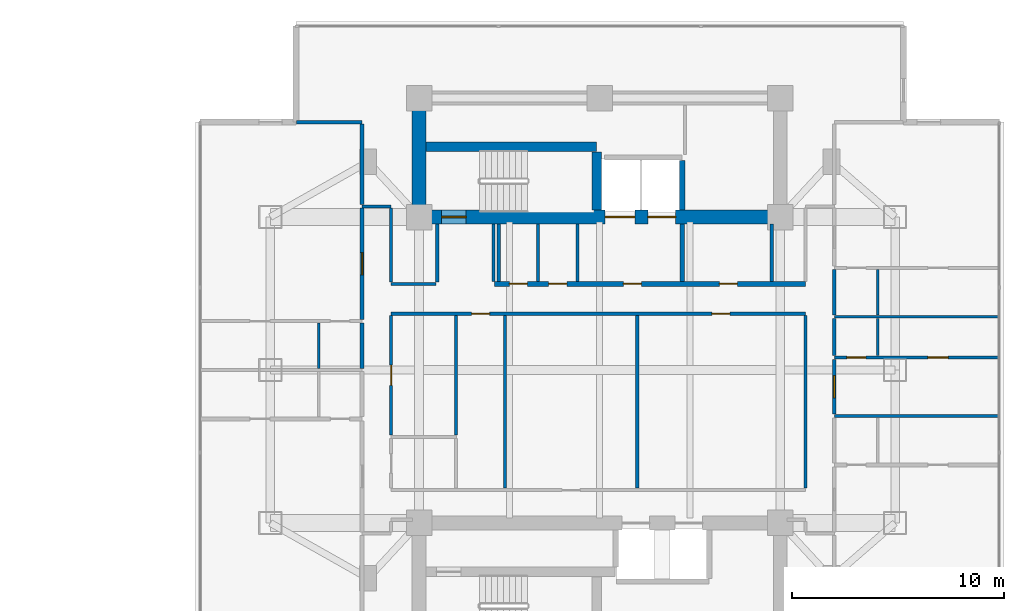
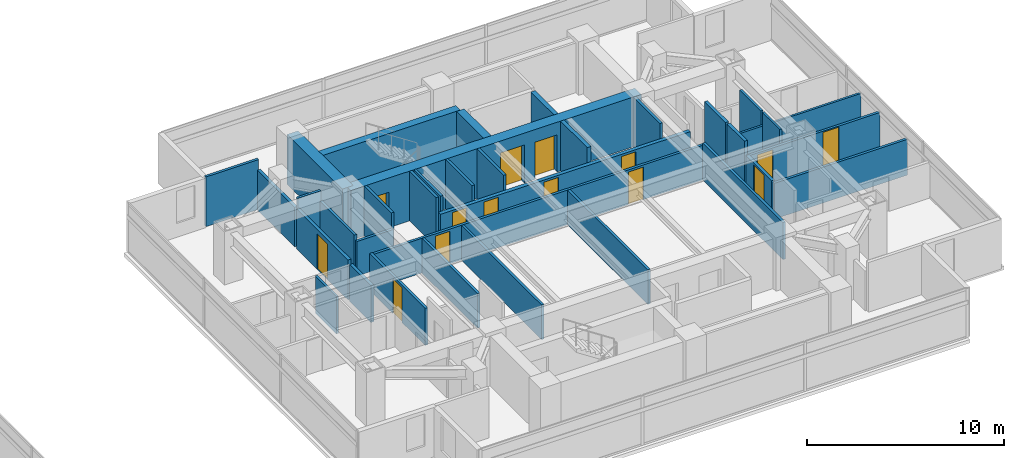
# One storey, part 18 of 25: 35 walls, 14 doors, 14 openings.
"""IFC4 building model written with IfcOpenShell, lengths in metres."""

from ifc_helpers import new_model, si_unit, direction, frame, frame_2d, origin, place, context, subcontext, project, spatial, rectangle, extrude, material, layer, layer_set, type_object, element, fill, save


model = new_model("IFC4")

# Units and contexts
model_context = context("Model", 3, precision=1e-05, world=origin(), true_north=direction((0.0, 1.0)))
body_context = subcontext(model_context, "Body", "Model", "MODEL_VIEW")
ifc_project = project(units=[si_unit("LENGTHUNIT", "METRE"), si_unit("AREAUNIT", "SQUARE_METRE"), si_unit("VOLUMEUNIT", "CUBIC_METRE"), si_unit("PLANEANGLEUNIT", "RADIAN"), si_unit("MASSUNIT", "GRAM", prefix="KILO")], contexts=[model_context])

# Site, building, storey
site_placement = place(None, origin())
site = spatial("IfcSite", under=ifc_project, at=site_placement, CompositionType="ELEMENT")
building_placement = place(site_placement, origin())
building = spatial("IfcBuilding", under=site, at=building_placement, Name="Mirazonda Arch Towers", CompositionType="ELEMENT")
storey_placement = place(building_placement, frame((0.0, 0.0, 111.5)))
storey = spatial("IfcBuildingStorey", under=building, at=storey_placement, Name="L31", CompositionType="ELEMENT", Elevation=111.5)

# Walls
ifc_material_1 = material(Name="Concrete C50/60", Category="concrete")
ifc_layer_1 = layer(ifc_material_1, 0.449951171875, Name="WALL-CORE-450")
ifc_layer_set_1 = layer_set([ifc_layer_1], Name="Concrete C50/60")
wall_type_1 = type_object("IfcWallType", Name="WALL-CORE-450", PredefinedType="SHEAR", material=ifc_layer_set_1)
wall_1_placement = place(storey_placement, frame((68.320068359375, 38.5, 0.0), z_axis=(0.0, 0.0, 1.0), x_axis=(1.0, 0.0, 0.0)))
element("IfcWall", 1, at=wall_1_placement, inside=storey, type_object=wall_type_1, Name="L31 Stair Core Shear Wall 058", PredefinedType="SHEAR", context=body_context, shape_type="SweptSolid", body=[
    extrude(rectangle(XDim=8.0400390625, YDim=0.449951171875, at=frame_2d((4.02001953125, 0.0))), origin(), (0.0, 0.0, 1.0), 3.080078125),
])
wall_2_placement = place(storey_placement, frame((76.360107421875, 35.52001953125, 0.0), z_axis=(0.0, 0.0, 1.0), x_axis=(0.0, 1.0, 0.0)))
element("IfcWall", 2, at=wall_2_placement, inside=storey, type_object=wall_type_1, Name="L31 Stair Core Shear Wall 155", PredefinedType="SHEAR", context=body_context, shape_type="SweptSolid", body=[
    extrude(rectangle(XDim=2.744873046875, YDim=0.449951171875, at=frame_2d((1.37255859375, 0.0))), origin(), (0.0, 0.0, 1.0), 3.080078125),
])
ifc_material_2 = material(Name="Concrete C60/75", Category="concrete")
ifc_layer_2 = layer(ifc_material_2, 0.64990234375, Name="WALL-CORE-650")
ifc_layer_set_2 = layer_set([ifc_layer_2], Name="Concrete C60/75")
wall_type_2 = type_object("IfcWallType", Name="WALL-CORE-650", PredefinedType="SHEAR", material=ifc_layer_set_2)
wall_3_placement = place(storey_placement, frame((68.0, 35.199951171875, 0.0), z_axis=(0.0, 0.0, 1.0), x_axis=(0.0, 1.0, 0.0)))
element("IfcWall", 3, at=wall_3_placement, inside=storey, type_object=wall_type_2, Name="L31 T2N-W Core Shear Wall", PredefinedType="SHEAR", context=body_context, shape_type="SweptSolid", body=[
    extrude(rectangle(XDim=5.60009765625, YDim=0.64990234375, at=frame_2d((2.800048828125, 0.0))), origin(), (0.0, 0.0, 1.0), 3.080078125),
])

# Wall, openings, doors
wall_4_placement = place(storey_placement, frame((68.0, 35.199951171875, 0.0), z_axis=(0.0, 0.0, 1.0), x_axis=(1.0, 0.0, 0.0)))
wall_4 = element("IfcWall", 4, at=wall_4_placement, inside=storey, type_object=wall_type_2, Name="L31 T2N-S Core Shear Wall", PredefinedType="SHEAR", context=body_context, shape_type="SweptSolid", body=[
    extrude(rectangle(XDim=17.0, YDim=0.64990234375, at=frame_2d((8.5, 0.0))), origin(), (0.0, 0.0, 1.0), 3.080078125),
])
opening_1_placement = place(wall_4_placement, frame((1.06005859375, 0.0, 0.0)))
opening_1 = element("IfcOpeningElement", 5, at=opening_1_placement, cuts=wall_4, Name="Opening DR-135", PredefinedType="OPENING", context=body_context, shape_type="SweptSolid", body=[
    extrude(rectangle(XDim=1.14990234375, YDim=2.199951171875, at=frame_2d((0.574951171875, 1.10009765625))), frame((0.0, 0.3349609375, 0.0), z_axis=(0.0, -1.0, 0.0), x_axis=(1.0, 0.0, 0.0)), (0.0, 0.0, 1.0), 0.669921875),
])
opening_2_placement = place(wall_4_placement, frame((8.75, 0.0, 0.0)))
opening_2 = element("IfcOpeningElement", 6, at=opening_2_placement, cuts=wall_4, Name="Opening LD-112", PredefinedType="OPENING", context=body_context, shape_type="SweptSolid", body=[
    extrude(rectangle(XDim=1.39990234375, YDim=2.35009765625, at=frame_2d((0.699951171875, 1.175048828125))), frame((0.0, 0.3349609375, 0.0), z_axis=(0.0, -1.0, 0.0), x_axis=(1.0, 0.0, 0.0)), (0.0, 0.0, 1.0), 0.669921875),
])
opening_3_placement = place(wall_4_placement, frame((10.77001953125, 0.0, 0.0)))
opening_3 = element("IfcOpeningElement", 7, at=opening_3_placement, cuts=wall_4, Name="Opening LD-111", PredefinedType="OPENING", context=body_context, shape_type="SweptSolid", body=[
    extrude(rectangle(XDim=1.300048828125, YDim=2.300048828125, at=frame_2d((0.64990234375, 1.14990234375))), frame((0.0, 0.3349609375, 0.0), z_axis=(0.0, -1.0, 0.0), x_axis=(1.0, 0.0, 0.0)), (0.0, 0.0, 1.0), 0.669921875),
])
ifc_material_3 = material(Name="Architectural Brushed Steel S355", Category="steel")
door_type_1 = type_object("IfcDoorType", Name="DOOR-LIFT-FFL-1400", OperationType="NOTDEFINED", PredefinedType="DOOR", material=ifc_material_3)
door_1_placement = place(opening_2_placement, origin())
door_1 = element("IfcDoor", 8, at=door_1_placement, inside=storey, type_object=door_type_1, Name="L31 Lift Landing Sliding Door FFL-T2", OperationType="DOUBLE_DOOR_SLIDING", OverallHeight=2.35009765625, OverallWidth=1.39990234375, PredefinedType="DOOR", context=body_context, shape_type="SweptSolid", body=[
    extrude(rectangle(XDim=1.39990234375, YDim=2.35009765625, at=frame_2d((0.699951171875, 1.175048828125))), frame((0.0, 0.02490234375, 0.0), z_axis=(0.0, -1.0, 0.0), x_axis=(1.0, 0.0, 0.0)), (0.0, 0.0, 1.0), 0.050048828125),
])
fill(opening_2, door_1)
door_type_2 = type_object("IfcDoorType", Name="DOOR-LIFT-LAND-1300", OperationType="NOTDEFINED", PredefinedType="DOOR", material=ifc_material_3)
door_2_placement = place(opening_3_placement, origin())
door_2 = element("IfcDoor", 9, at=door_2_placement, inside=storey, type_object=door_type_2, Name="L31 Lift Landing Sliding Door SVL-T2", OperationType="DOUBLE_DOOR_SLIDING", OverallHeight=2.300048828125, OverallWidth=1.300048828125, PredefinedType="DOOR", context=body_context, shape_type="SweptSolid", body=[
    extrude(rectangle(XDim=1.300048828125, YDim=2.300048828125, at=frame_2d((0.64990234375, 1.14990234375))), frame((0.0, 0.02490234375, 0.0), z_axis=(0.0, -1.0, 0.0), x_axis=(1.0, 0.0, 0.0)), (0.0, 0.0, 1.0), 0.050048828125),
])
fill(opening_3, door_2)
door_type_3 = type_object("IfcDoorType", Name="DOOR-STAIR-FD90-1150", OperationType="NOTDEFINED", PredefinedType="DOOR", material=ifc_material_3)
door_3_placement = place(opening_1_placement, origin())
door_3 = element("IfcDoor", 10, at=door_3_placement, inside=storey, type_object=door_type_3, Name="L31 East Protected Stair North Door", OperationType="SINGLE_SWING_LEFT", OverallHeight=2.199951171875, OverallWidth=1.14990234375, PredefinedType="DOOR", context=body_context, shape_type="SweptSolid", body=[
    extrude(rectangle(XDim=1.14990234375, YDim=2.199951171875, at=frame_2d((0.574951171875, 1.10009765625))), frame((0.0, 0.02490234375, 0.0), z_axis=(0.0, -1.0, 0.0), x_axis=(1.0, 0.0, 0.0)), (0.0, 0.0, 1.0), 0.050048828125),
])
fill(opening_1, door_3)

ifc_material_4 = material(Name="Concrete C40/50", Category="concrete")
ifc_layer_3 = layer(ifc_material_4, 0.219970703125, Name="WALL-FFL-220")
ifc_layer_set_3 = layer_set([ifc_layer_3], Name="Concrete C40/50")
wall_type_3 = type_object("IfcWallType", Name="WALL-FFL-220", PredefinedType="SOLIDWALL", material=ifc_layer_set_3)
wall_5_placement = place(storey_placement, frame((71.550048828125, 32.050048828125, 0.0), z_axis=(0.0, 0.0, 1.0), x_axis=(1.0, 0.0, 0.0)))
wall_5 = element("IfcWall", 11, at=wall_5_placement, inside=storey, type_object=wall_type_3, Name="L31 Interior Partition 044", PredefinedType="SOLIDWALL", context=body_context, shape_type="SweptSolid", body=[
    extrude(rectangle(XDim=14.6298828125, YDim=0.219970703125, at=frame_2d((7.31494140625, 0.0))), origin(), (0.0, 0.0, 1.0), 2.14501953125),
])
opening_4_placement = place(wall_5_placement, frame((6.06494140625, 0.0, 0.0)))
opening_4 = element("IfcOpeningElement", 12, at=opening_4_placement, cuts=wall_5, Name="Opening DR-128", PredefinedType="OPENING", context=body_context, shape_type="SweptSolid", body=[
    extrude(rectangle(XDim=0.85009765625, YDim=2.010009765625, at=frame_2d((0.425048828125, 1.0048828125))), frame((0.0, 0.119873046875, 0.0), z_axis=(0.0, -1.0, 0.0), x_axis=(1.0, 0.0, 0.0)), (0.0, 0.0, 1.0), 0.239990234375),
])
opening_5_placement = place(wall_5_placement, frame((10.5849609375, 0.0, 0.0)))
opening_5 = element("IfcOpeningElement", 13, at=opening_5_placement, cuts=wall_5, Name="Opening DR-128", PredefinedType="OPENING", context=body_context, shape_type="SweptSolid", body=[
    extrude(rectangle(XDim=0.85009765625, YDim=2.010009765625, at=frame_2d((0.425048828125, 1.0048828125))), frame((0.0, 0.119873046875, 0.0), z_axis=(0.0, -1.0, 0.0), x_axis=(1.0, 0.0, 0.0)), (0.0, 0.0, 1.0), 0.239990234375),
])
opening_6_placement = place(wall_5_placement, frame((0.699951171875, 0.0, 0.0)))
opening_6 = element("IfcOpeningElement", 14, at=opening_6_placement, cuts=wall_5, Name="Opening DR-128", PredefinedType="OPENING", context=body_context, shape_type="SweptSolid", body=[
    extrude(rectangle(XDim=0.85009765625, YDim=2.010009765625, at=frame_2d((0.425048828125, 1.0048828125))), frame((0.0, 0.119873046875, 0.0), z_axis=(0.0, -1.0, 0.0), x_axis=(1.0, 0.0, 0.0)), (0.0, 0.0, 1.0), 0.239990234375),
])
opening_7_placement = place(wall_5_placement, frame((2.550048828125, 0.0, 0.0)))
opening_7 = element("IfcOpeningElement", 15, at=opening_7_placement, cuts=wall_5, Name="Opening DR-128", PredefinedType="OPENING", context=body_context, shape_type="SweptSolid", body=[
    extrude(rectangle(XDim=0.85009765625, YDim=2.010009765625, at=frame_2d((0.425048828125, 1.0048828125))), frame((0.0, 0.119873046875, 0.0), z_axis=(0.0, -1.0, 0.0), x_axis=(1.0, 0.0, 0.0)), (0.0, 0.0, 1.0), 0.239990234375),
])
door_type_4 = type_object("IfcDoorType", Name="DOOR-RISER-FD60-850", OperationType="NOTDEFINED", PredefinedType="DOOR", material=ifc_material_3)
door_4_placement = place(opening_4_placement, origin())
door_4 = element("IfcDoor", 16, at=door_4_placement, inside=storey, type_object=door_type_4, Name="L31 East Firefighting Lift Lobby Door", OperationType="SINGLE_SWING_RIGHT", OverallHeight=2.010009765625, OverallWidth=0.85009765625, PredefinedType="DOOR", context=body_context, shape_type="SweptSolid", body=[
    extrude(rectangle(XDim=0.85009765625, YDim=2.010009765625, at=frame_2d((0.425048828125, 1.0048828125))), frame((0.0, 0.02490234375, 0.0), z_axis=(0.0, -1.0, 0.0), x_axis=(1.0, 0.0, 0.0)), (0.0, 0.0, 1.0), 0.050048828125),
])
fill(opening_4, door_4)
door_5_placement = place(opening_5_placement, origin())
door_5 = element("IfcDoor", 17, at=door_5_placement, inside=storey, type_object=door_type_4, Name="L31 East Sky Reading Library Door", OperationType="SINGLE_SWING_LEFT", OverallHeight=2.010009765625, OverallWidth=0.85009765625, PredefinedType="DOOR", context=body_context, shape_type="SweptSolid", body=[
    extrude(rectangle(XDim=0.85009765625, YDim=2.010009765625, at=frame_2d((0.425048828125, 1.0048828125))), frame((0.0, 0.02490234375, 0.0), z_axis=(0.0, -1.0, 0.0), x_axis=(1.0, 0.0, 0.0)), (0.0, 0.0, 1.0), 0.050048828125),
])
fill(opening_5, door_5)
door_6_placement = place(opening_6_placement, origin())
door_6 = element("IfcDoor", 18, at=door_6_placement, inside=storey, type_object=door_type_4, Name="L31 Tower 2 Electrical Room Door", OperationType="SINGLE_SWING_RIGHT", OverallHeight=2.010009765625, OverallWidth=0.85009765625, PredefinedType="DOOR", context=body_context, shape_type="SweptSolid", body=[
    extrude(rectangle(XDim=0.85009765625, YDim=2.010009765625, at=frame_2d((0.425048828125, 1.0048828125))), frame((0.0, 0.02490234375, 0.0), z_axis=(0.0, -1.0, 0.0), x_axis=(1.0, 0.0, 0.0)), (0.0, 0.0, 1.0), 0.050048828125),
])
fill(opening_6, door_6)
door_7_placement = place(opening_7_placement, origin())
door_7 = element("IfcDoor", 19, at=door_7_placement, inside=storey, type_object=door_type_4, Name="L31 Tower 2 Cleaners Store Door", OperationType="SINGLE_SWING_LEFT", OverallHeight=2.010009765625, OverallWidth=0.85009765625, PredefinedType="DOOR", context=body_context, shape_type="SweptSolid", body=[
    extrude(rectangle(XDim=0.85009765625, YDim=2.010009765625, at=frame_2d((0.425048828125, 1.0048828125))), frame((0.0, 0.02490234375, 0.0), z_axis=(0.0, -1.0, 0.0), x_axis=(1.0, 0.0, 0.0)), (0.0, 0.0, 1.0), 0.050048828125),
])
fill(opening_7, door_7)

# Walls
wall_6_placement = place(storey_placement, frame((80.3798828125, 32.169921875, 0.0), z_axis=(0.0, 0.0, 1.0), x_axis=(0.0, 1.0, 0.0)))
element("IfcWall", 20, at=wall_6_placement, inside=storey, type_object=wall_type_3, Name="L31 Interior Partition 158", PredefinedType="SOLIDWALL", context=body_context, shape_type="SweptSolid", body=[
    extrude(rectangle(XDim=2.7099609375, YDim=0.219970703125, at=frame_2d((1.35498046875, 0.0))), origin(), (0.0, 0.0, 1.0), 3.080078125),
])
ifc_material_5 = material(Name="Fire-Rated Gypsum Stud Partition")
ifc_layer_4 = layer(ifc_material_5, 0.14990234375, Name="WALL-PART-CORR-150")
ifc_layer_set_4 = layer_set([ifc_layer_4], Name="Fire-Rated Gypsum Stud Partition")
wall_type_4 = type_object("IfcWallType", Name="WALL-PART-CORR-150", PredefinedType="PARTITIONING", material=ifc_layer_set_4)
wall_7_placement = place(storey_placement, frame((87.5400390625, 25.833984375, 0.0), z_axis=(0.0, 0.0, 1.0), x_axis=(1.0, 0.0, 0.0)))
element("IfcWall", 21, at=wall_7_placement, inside=storey, type_object=wall_type_4, Name="L31 Interior Partition 032", PredefinedType="PARTITIONING", context=body_context, shape_type="SweptSolid", body=[
    extrude(rectangle(XDim=7.76806640625, YDim=0.14990234375, at=frame_2d((3.884033203125, 0.0))), origin(), (0.0, 0.0, 1.0), 2.216064453125),
])

# Wall, openings, doors
wall_8_placement = place(storey_placement, frame((87.5400390625, 28.587890625, 0.0), z_axis=(0.0, 0.0, 1.0), x_axis=(1.0, 0.0, 0.0)))
wall_8 = element("IfcWall", 22, at=wall_8_placement, inside=storey, type_object=wall_type_4, Name="L31 Interior Partition 038", PredefinedType="PARTITIONING", context=body_context, shape_type="SweptSolid", body=[
    extrude(rectangle(XDim=7.76806640625, YDim=0.14990234375, at=frame_2d((3.884033203125, 0.0))), origin(), (0.0, 0.0, 1.0), 2.216064453125),
])
opening_8_placement = place(wall_8_placement, frame((4.408935546875, 0.0, 0.0)))
opening_8 = element("IfcOpeningElement", 23, at=opening_8_placement, cuts=wall_8, Name="Opening DR-104", PredefinedType="OPENING", context=body_context, shape_type="SweptSolid", body=[
    extrude(rectangle(XDim=0.949951171875, YDim=2.14990234375, at=frame_2d((0.47509765625, 1.074951171875))), frame((0.0, 0.0849609375, 0.0), z_axis=(0.0, -1.0, 0.0), x_axis=(1.0, 0.0, 0.0)), (0.0, 0.0, 1.0), 0.169921875),
])
opening_9_placement = place(wall_8_placement, frame((0.590087890625, 0.0, 0.0)))
opening_9 = element("IfcOpeningElement", 24, at=opening_9_placement, cuts=wall_8, Name="Opening DR-120", PredefinedType="OPENING", context=body_context, shape_type="SweptSolid", body=[
    extrude(rectangle(XDim=0.89990234375, YDim=2.10009765625, at=frame_2d((0.449951171875, 1.050048828125))), frame((0.0, 0.0849609375, 0.0), z_axis=(0.0, -1.0, 0.0), x_axis=(1.0, 0.0, 0.0)), (0.0, 0.0, 1.0), 0.169921875),
])
door_type_5 = type_object("IfcDoorType", Name="DOOR-ROOM-950", OperationType="NOTDEFINED", PredefinedType="DOOR", material=ifc_material_3)
door_8_placement = place(opening_8_placement, origin())
door_8 = element("IfcDoor", 25, at=door_8_placement, inside=storey, type_object=door_type_5, Name="L31 Guestroom Study 2 Door", OperationType="SINGLE_SWING_RIGHT", OverallHeight=2.14990234375, OverallWidth=0.949951171875, PredefinedType="DOOR", context=body_context, shape_type="SweptSolid", body=[
    extrude(rectangle(XDim=0.949951171875, YDim=2.14990234375, at=frame_2d((0.47509765625, 1.074951171875))), frame((0.0, 0.02490234375, 0.0), z_axis=(0.0, -1.0, 0.0), x_axis=(1.0, 0.0, 0.0)), (0.0, 0.0, 1.0), 0.050048828125),
])
fill(opening_8, door_8)
door_type_6 = type_object("IfcDoorType", Name="DOOR-WC-900", OperationType="NOTDEFINED", PredefinedType="DOOR", material=ifc_material_3)
door_9_placement = place(opening_9_placement, origin())
door_9 = element("IfcDoor", 26, at=door_9_placement, inside=storey, type_object=door_type_6, Name="L31 En-Suite Bathroom 2 Door", OperationType="SINGLE_SWING_LEFT", OverallHeight=2.10009765625, OverallWidth=0.89990234375, PredefinedType="DOOR", context=body_context, shape_type="SweptSolid", body=[
    extrude(rectangle(XDim=0.89990234375, YDim=2.10009765625, at=frame_2d((0.449951171875, 1.050048828125))), frame((0.0, 0.02490234375, 0.0), z_axis=(0.0, -1.0, 0.0), x_axis=(1.0, 0.0, 0.0)), (0.0, 0.0, 1.0), 0.050048828125),
])
fill(opening_9, door_9)

wall_9_placement = place(storey_placement, frame((66.679931640625, 30.64990234375, 0.0), z_axis=(0.0, 0.0, 1.0), x_axis=(1.0, 0.0, 0.0)))
wall_9 = element("IfcWall", 27, at=wall_9_placement, inside=storey, type_object=wall_type_4, Name="L31 Interior Partition 041", PredefinedType="PARTITIONING", context=body_context, shape_type="SweptSolid", body=[
    extrude(rectangle(XDim=19.5, YDim=0.14990234375, at=frame_2d((9.75, 0.0))), origin(), (0.0, 0.0, 1.0), 2.14501953125),
])
opening_10_placement = place(wall_9_placement, frame((3.794921875, 0.0, 0.0)))
opening_10 = element("IfcOpeningElement", 28, at=opening_10_placement, cuts=wall_9, Name="Opening DR-128", PredefinedType="OPENING", context=body_context, shape_type="SweptSolid", body=[
    extrude(rectangle(XDim=0.85009765625, YDim=2.010009765625, at=frame_2d((0.425048828125, 1.0048828125))), frame((0.0, 0.0849609375, 0.0), z_axis=(0.0, -1.0, 0.0), x_axis=(1.0, 0.0, 0.0)), (0.0, 0.0, 1.0), 0.169921875),
])
opening_11_placement = place(wall_9_placement, frame((15.098388671875, 0.0, 0.0)))
opening_11 = element("IfcOpeningElement", 29, at=opening_11_placement, cuts=wall_9, Name="Opening DR-128", PredefinedType="OPENING", context=body_context, shape_type="SweptSolid", body=[
    extrude(rectangle(XDim=0.85009765625, YDim=2.010009765625, at=frame_2d((0.425048828125, 1.0048828125))), frame((0.0, 0.0849609375, 0.0), z_axis=(0.0, -1.0, 0.0), x_axis=(1.0, 0.0, 0.0)), (0.0, 0.0, 1.0), 0.169921875),
])
door_10_placement = place(opening_10_placement, origin())
door_10 = element("IfcDoor", 30, at=door_10_placement, inside=storey, type_object=door_type_4, Name="L31 L31 East Courtyard Study Door", OperationType="SINGLE_SWING_RIGHT", OverallHeight=2.010009765625, OverallWidth=0.85009765625, PredefinedType="DOOR", context=body_context, shape_type="SweptSolid", body=[
    extrude(rectangle(XDim=0.85009765625, YDim=2.010009765625, at=frame_2d((0.425048828125, 1.0048828125))), frame((0.0, 0.02490234375, 0.0), z_axis=(0.0, -1.0, 0.0), x_axis=(1.0, 0.0, 0.0)), (0.0, 0.0, 1.0), 0.050048828125),
])
fill(opening_10, door_10)
door_11_placement = place(opening_11_placement, origin())
door_11 = element("IfcDoor", 31, at=door_11_placement, inside=storey, type_object=door_type_4, Name="L31 Business Reading Study Door", OperationType="SINGLE_SWING_RIGHT", OverallHeight=2.010009765625, OverallWidth=0.85009765625, PredefinedType="DOOR", context=body_context, shape_type="SweptSolid", body=[
    extrude(rectangle(XDim=0.85009765625, YDim=2.010009765625, at=frame_2d((0.425048828125, 1.0048828125))), frame((0.0, 0.02490234375, 0.0), z_axis=(0.0, -1.0, 0.0), x_axis=(1.0, 0.0, 0.0)), (0.0, 0.0, 1.0), 0.050048828125),
])
fill(opening_11, door_11)

# Walls
wall_10_placement = place(storey_placement, frame((66.679931640625, 32.050048828125, 0.0), z_axis=(0.0, 0.0, 1.0), x_axis=(1.0, 0.0, 0.0)))
element("IfcWall", 32, at=wall_10_placement, inside=storey, type_object=wall_type_4, Name="L31 Interior Partition 043", PredefinedType="PARTITIONING", context=body_context, shape_type="SweptSolid", body=[
    extrude(rectangle(XDim=2.1201171875, YDim=0.14990234375, at=frame_2d((1.06005859375, 0.0))), origin(), (0.0, 0.0, 1.0), 2.14501953125),
])
wall_11_placement = place(storey_placement, frame((65.320068359375, 35.699951171875, 0.0), z_axis=(0.0, 0.0, 1.0), x_axis=(1.0, 0.0, 0.0)))
element("IfcWall", 33, at=wall_11_placement, inside=storey, type_object=wall_type_4, Name="L31 Interior Partition 054", PredefinedType="PARTITIONING", context=body_context, shape_type="SweptSolid", body=[
    extrude(rectangle(XDim=1.35986328125, YDim=0.14990234375, at=frame_2d((0.679931640625, 0.0))), origin(), (0.0, 0.0, 1.0), 3.080078125),
])
wall_12_placement = place(storey_placement, frame((62.227783203125, 39.6640625, 0.0), z_axis=(0.0, 0.0, 1.0), x_axis=(1.0, 0.0, 0.0)))
element("IfcWall", 34, at=wall_12_placement, inside=storey, type_object=wall_type_4, Name="L31 Interior Partition 059", PredefinedType="PARTITIONING", context=body_context, shape_type="SweptSolid", body=[
    extrude(rectangle(XDim=3.09228515625, YDim=0.14990234375, at=frame_2d((1.546142578125, 0.0))), origin(), (0.0, 0.0, 1.0), 3.080078125),
])

# Wall, opening, door
wall_13_placement = place(storey_placement, frame((66.679931640625, 24.93505859375, 0.0), z_axis=(0.0, 0.0, 1.0), x_axis=(0.0, 1.0, 0.0)))
wall_13 = element("IfcWall", 35, at=wall_13_placement, inside=storey, type_object=wall_type_4, Name="L31 Interior Partition 144", PredefinedType="PARTITIONING", context=body_context, shape_type="SweptSolid", body=[
    extrude(rectangle(XDim=5.6298828125, YDim=0.14990234375, at=frame_2d((2.81494140625, 0.0))), origin(), (0.0, 0.0, 1.0), 2.299072265625),
])
opening_12_placement = place(wall_13_placement, frame((2.340087890625, 0.0, 0.0)))
opening_12 = element("IfcOpeningElement", 36, at=opening_12_placement, cuts=wall_13, Name="Opening DR-104", PredefinedType="OPENING", context=body_context, shape_type="SweptSolid", body=[
    extrude(rectangle(XDim=0.949951171875, YDim=2.14990234375, at=frame_2d((0.47509765625, 1.074951171875))), frame((0.0, 0.0849609375, 0.0), z_axis=(0.0, -1.0, 0.0), x_axis=(1.0, 0.0, 0.0)), (0.0, 0.0, 1.0), 0.169921875),
])
door_12_placement = place(opening_12_placement, origin())
door_12 = element("IfcDoor", 37, at=door_12_placement, inside=storey, type_object=door_type_5, Name="L31 L31 East Courtyard Reading Study Door", OperationType="SINGLE_SWING_LEFT", OverallHeight=2.14990234375, OverallWidth=0.949951171875, PredefinedType="DOOR", context=body_context, shape_type="SweptSolid", body=[
    extrude(rectangle(XDim=0.949951171875, YDim=2.14990234375, at=frame_2d((0.47509765625, 1.074951171875))), frame((0.0, 0.02490234375, 0.0), z_axis=(0.0, -1.0, 0.0), x_axis=(1.0, 0.0, 0.0)), (0.0, 0.0, 1.0), 0.050048828125),
])
fill(opening_12, door_12)

# Walls
wall_14_placement = place(storey_placement, frame((66.679931640625, 32.135009765625, 0.0), z_axis=(0.0, 0.0, 1.0), x_axis=(0.0, 1.0, 0.0)))
element("IfcWall", 38, at=wall_14_placement, inside=storey, type_object=wall_type_4, Name="L31 Interior Partition 145", PredefinedType="PARTITIONING", context=body_context, shape_type="SweptSolid", body=[
    extrude(rectangle(XDim=3.47998046875, YDim=0.14990234375, at=frame_2d((1.739990234375, 0.0))), origin(), (0.0, 0.0, 1.0), 2.471923828125),
])
wall_15_placement = place(storey_placement, frame((68.85009765625, 32.135009765625, 0.0), z_axis=(0.0, 0.0, 1.0), x_axis=(0.0, 1.0, 0.0)))
element("IfcWall", 39, at=wall_15_placement, inside=storey, type_object=wall_type_4, Name="L31 Interior Partition 146", PredefinedType="PARTITIONING", context=body_context, shape_type="SweptSolid", body=[
    extrude(rectangle(XDim=2.744873046875, YDim=0.14990234375, at=frame_2d((1.37255859375, 0.0))), origin(), (0.0, 0.0, 1.0), 3.080078125),
])
wall_16_placement = place(storey_placement, frame((69.743408203125, 24.93505859375, 0.0), z_axis=(0.0, 0.0, 1.0), x_axis=(0.0, 1.0, 0.0)))
element("IfcWall", 40, at=wall_16_placement, inside=storey, type_object=wall_type_4, Name="L31 Interior Partition 148", PredefinedType="PARTITIONING", context=body_context, shape_type="SweptSolid", body=[
    extrude(rectangle(XDim=5.6298828125, YDim=0.14990234375, at=frame_2d((2.81494140625, 0.0))), origin(), (0.0, 0.0, 1.0), 2.14501953125),
])
for number, where, z_axis, x_axis, name in (
    (41, (71.5, 32.169921875, 0.0), (0.0, 0.0, 1.0), (0.0, 1.0, 0.0), "L31 Interior Partition 149"),
    (42, (71.75, 32.169921875, 0.0), (0.0, 0.0, 1.0), (0.0, 1.0, 0.0), "L31 Interior Partition 150"),
):
    element("IfcWall", number, at=place(storey_placement, frame(where, z_axis=z_axis, x_axis=x_axis)), inside=storey, type_object=wall_type_4, Name=name, PredefinedType="PARTITIONING", context=body_context, shape_type="SweptSolid", body=[
        extrude(rectangle(XDim=2.7099609375, YDim=0.14990234375, at=frame_2d((1.35498046875, 0.0))), origin(), (0.0, 0.0, 1.0), 3.080078125),
    ])
wall_17_placement = place(storey_placement, frame((72.050048828125, 22.43505859375, 0.0), z_axis=(0.0, 0.0, 1.0), x_axis=(0.0, 1.0, 0.0)))
element("IfcWall", 43, at=wall_17_placement, inside=storey, type_object=wall_type_4, Name="L31 Interior Partition 151", PredefinedType="PARTITIONING", context=body_context, shape_type="SweptSolid", body=[
    extrude(rectangle(XDim=8.1298828125, YDim=0.14990234375, at=frame_2d((4.06494140625, 0.0))), origin(), (0.0, 0.0, 1.0), 2.14501953125),
])
for number, where, z_axis, x_axis, name in (
    (44, (73.60009765625, 32.169921875, 0.0), (0.0, 0.0, 1.0), (0.0, 1.0, 0.0), "L31 Interior Partition 152"),
    (45, (75.449951171875, 32.169921875, 0.0), (0.0, 0.0, 1.0), (0.0, 1.0, 0.0), "L31 Interior Partition 153"),
):
    element("IfcWall", number, at=place(storey_placement, frame(where, z_axis=z_axis, x_axis=x_axis)), inside=storey, type_object=wall_type_4, Name=name, PredefinedType="PARTITIONING", context=body_context, shape_type="SweptSolid", body=[
        extrude(rectangle(XDim=2.7099609375, YDim=0.14990234375, at=frame_2d((1.35498046875, 0.0))), origin(), (0.0, 0.0, 1.0), 3.080078125),
    ])
wall_18_placement = place(storey_placement, frame((78.26708984375, 22.43505859375, 0.0), z_axis=(0.0, 0.0, 1.0), x_axis=(0.0, 1.0, 0.0)))
element("IfcWall", 46, at=wall_18_placement, inside=storey, type_object=wall_type_4, Name="L31 Interior Partition 157", PredefinedType="PARTITIONING", context=body_context, shape_type="SweptSolid", body=[
    extrude(rectangle(XDim=8.1298828125, YDim=0.14990234375, at=frame_2d((4.06494140625, 0.0))), origin(), (0.0, 0.0, 1.0), 2.14501953125),
])
wall_19_placement = place(storey_placement, frame((84.60009765625, 32.169921875, 0.0), z_axis=(0.0, 0.0, 1.0), x_axis=(0.0, 1.0, 0.0)))
element("IfcWall", 47, at=wall_19_placement, inside=storey, type_object=wall_type_4, Name="L31 Interior Partition 162", PredefinedType="PARTITIONING", context=body_context, shape_type="SweptSolid", body=[
    extrude(rectangle(XDim=2.7099609375, YDim=0.14990234375, at=frame_2d((1.35498046875, 0.0))), origin(), (0.0, 0.0, 1.0), 3.080078125),
])
wall_20_placement = place(storey_placement, frame((86.179931640625, 22.43505859375, 0.0), z_axis=(0.0, 0.0, 1.0), x_axis=(0.0, 1.0, 0.0)))
element("IfcWall", 48, at=wall_20_placement, inside=storey, type_object=wall_type_4, Name="L31 Interior Partition 164", PredefinedType="PARTITIONING", context=body_context, shape_type="SweptSolid", body=[
    extrude(rectangle(XDim=8.1298828125, YDim=0.14990234375, at=frame_2d((4.06494140625, 0.0))), origin(), (0.0, 0.0, 1.0), 2.299072265625),
])
ifc_material_6 = material(Name="Fire-Rated Gypsum Twin-Stud Assembly")
ifc_layer_5 = layer(ifc_material_6, 0.179931640625, Name="WALL-PART-DEMISE-180")
ifc_layer_set_5 = layer_set([ifc_layer_5], Name="Fire-Rated Gypsum Twin-Stud Assembly")
wall_type_5 = type_object("IfcWallType", Name="WALL-PART-DEMISE-180", PredefinedType="PARTITIONING", material=ifc_layer_set_5)
wall_21_placement = place(storey_placement, frame((65.320068359375, 28.072509765625, 0.0), z_axis=(0.0, 0.0, 1.0), x_axis=(0.0, 1.0, 0.0)))
element("IfcWall", 49, at=wall_21_placement, inside=storey, type_object=wall_type_5, Name="L31 Interior Partition 139", PredefinedType="PARTITIONING", context=body_context, shape_type="SweptSolid", body=[
    extrude(rectangle(XDim=2.142578125, YDim=0.179931640625, at=frame_2d((1.0712890625, 0.0))), origin(), (0.0, 0.0, 1.0), 2.299072265625),
])

# Wall, opening, door
wall_22_placement = place(storey_placement, frame((65.320068359375, 30.385009765625, 0.0), z_axis=(0.0, 0.0, 1.0), x_axis=(0.0, 1.0, 0.0)))
wall_22 = element("IfcWall", 50, at=wall_22_placement, inside=storey, type_object=wall_type_5, Name="L31 Interior Partition 140", PredefinedType="PARTITIONING", context=body_context, shape_type="SweptSolid", body=[
    extrude(rectangle(XDim=5.22998046875, YDim=0.179931640625, at=frame_2d((2.614990234375, 0.0))), origin(), (0.0, 0.0, 1.0), 2.471923828125),
])
opening_13_placement = place(wall_22_placement, frame((2.090087890625, 0.0, 0.0)))
opening_13 = element("IfcOpeningElement", 51, at=opening_13_placement, cuts=wall_22, Name="Opening DR-121", PredefinedType="OPENING", context=body_context, shape_type="SweptSolid", body=[
    extrude(rectangle(XDim=1.050048828125, YDim=2.199951171875, at=frame_2d((0.52490234375, 1.10009765625))), frame((0.0, 0.099853515625, 0.0), z_axis=(0.0, -1.0, 0.0), x_axis=(1.0, 0.0, 0.0)), (0.0, 0.0, 1.0), 0.199951171875),
])
door_type_7 = type_object("IfcDoorType", Name="DOOR-SUITE-FD60-1050", OperationType="NOTDEFINED", PredefinedType="DOOR", material=ifc_material_3)
door_13_placement = place(opening_13_placement, origin())
door_13 = element("IfcDoor", 52, at=door_13_placement, inside=storey, type_object=door_type_7, Name="L31 Twin Hotel Guestroom 2 Door", OperationType="SINGLE_SWING_LEFT", OverallHeight=2.199951171875, OverallWidth=1.050048828125, PredefinedType="DOOR", context=body_context, shape_type="SweptSolid", body=[
    extrude(rectangle(XDim=1.050048828125, YDim=2.199951171875, at=frame_2d((0.52490234375, 1.10009765625))), frame((0.0, 0.02490234375, 0.0), z_axis=(0.0, -1.0, 0.0), x_axis=(1.0, 0.0, 0.0)), (0.0, 0.0, 1.0), 0.050048828125),
])
fill(opening_13, door_13)

# Wall
wall_23_placement = place(storey_placement, frame((65.320068359375, 35.784912109375, 0.0), z_axis=(0.0, 0.0, 1.0), x_axis=(0.0, 1.0, 0.0)))
element("IfcWall", 53, at=wall_23_placement, inside=storey, type_object=wall_type_5, Name="L31 Interior Partition 141", PredefinedType="PARTITIONING", context=body_context, shape_type="SweptSolid", body=[
    extrude(rectangle(XDim=3.794189453125, YDim=0.179931640625, at=frame_2d((1.89697265625, 0.0))), origin(), (0.0, 0.0, 1.0), 2.4560546875),
])

# Wall, opening, door
wall_24_placement = place(storey_placement, frame((87.5400390625, 25.9189453125, 0.0), z_axis=(0.0, 0.0, 1.0), x_axis=(0.0, 1.0, 0.0)))
wall_24 = element("IfcWall", 54, at=wall_24_placement, inside=storey, type_object=wall_type_5, Name="L31 Interior Partition 169", PredefinedType="PARTITIONING", context=body_context, shape_type="SweptSolid", body=[
    extrude(rectangle(XDim=2.583984375, YDim=0.179931640625, at=frame_2d((1.2919921875, 0.0))), origin(), (0.0, 0.0, 1.0), 2.299072265625),
])
opening_14_placement = place(wall_24_placement, frame((0.76708984375, 0.0, 0.0)))
opening_14 = element("IfcOpeningElement", 55, at=opening_14_placement, cuts=wall_24, Name="Opening DR-121", PredefinedType="OPENING", context=body_context, shape_type="SweptSolid", body=[
    extrude(rectangle(XDim=1.050048828125, YDim=2.199951171875, at=frame_2d((0.52490234375, 1.10009765625))), frame((0.0, 0.099853515625, 0.0), z_axis=(0.0, -1.0, 0.0), x_axis=(1.0, 0.0, 0.0)), (0.0, 0.0, 1.0), 0.199951171875),
])
door_14_placement = place(opening_14_placement, origin())
door_14 = element("IfcDoor", 56, at=door_14_placement, inside=storey, type_object=door_type_7, Name="L31 Twin Hotel Guestroom 2 Door", OperationType="SINGLE_SWING_LEFT", OverallHeight=2.199951171875, OverallWidth=1.050048828125, PredefinedType="DOOR", context=body_context, shape_type="SweptSolid", body=[
    extrude(rectangle(XDim=1.050048828125, YDim=2.199951171875, at=frame_2d((0.52490234375, 1.10009765625))), frame((0.0, 0.02490234375, 0.0), z_axis=(0.0, -1.0, 0.0), x_axis=(1.0, 0.0, 0.0)), (0.0, 0.0, 1.0), 0.050048828125),
])
fill(opening_14, door_14)

# Walls
wall_25_placement = place(storey_placement, frame((87.5400390625, 28.673095703125, 0.0), z_axis=(0.0, 0.0, 1.0), x_axis=(0.0, 1.0, 0.0)))
element("IfcWall", 57, at=wall_25_placement, inside=storey, type_object=wall_type_5, Name="L31 Interior Partition 170", PredefinedType="PARTITIONING", context=body_context, shape_type="SweptSolid", body=[
    extrude(rectangle(XDim=1.762451171875, YDim=0.179931640625, at=frame_2d((0.88134765625, 0.0))), origin(), (0.0, 0.0, 1.0), 3.080078125),
])
wall_26_placement = place(storey_placement, frame((87.5400390625, 30.58056640625, 0.0), z_axis=(0.0, 0.0, 1.0), x_axis=(0.0, 1.0, 0.0)))
element("IfcWall", 58, at=wall_26_placement, inside=storey, type_object=wall_type_5, Name="L31 Interior Partition 171", PredefinedType="PARTITIONING", context=body_context, shape_type="SweptSolid", body=[
    extrude(rectangle(XDim=2.142333984375, YDim=0.179931640625, at=frame_2d((1.0712890625, 0.0))), origin(), (0.0, 0.0, 1.0), 3.080078125),
])
ifc_material_7 = material(Name="Acoustic Fire-Rated Gypsum Partition")
ifc_layer_6 = layer(ifc_material_7, 0.125, Name="WALL-PART-UNIT-125")
ifc_layer_set_6 = layer_set([ifc_layer_6], Name="Acoustic Fire-Rated Gypsum Partition")
wall_type_6 = type_object("IfcWallType", Name="WALL-PART-UNIT-125", PredefinedType="PARTITIONING", material=ifc_layer_set_6)
wall_27_placement = place(storey_placement, frame((87.5400390625, 30.508056640625, 0.0), z_axis=(0.0, 0.0, 1.0), x_axis=(1.0, 0.0, 0.0)))
element("IfcWall", 59, at=wall_27_placement, inside=storey, type_object=wall_type_6, Name="L31 Interior Partition 042", PredefinedType="PARTITIONING", context=body_context, shape_type="SweptSolid", body=[
    extrude(rectangle(XDim=7.76806640625, YDim=0.125, at=frame_2d((3.884033203125, 0.0))), origin(), (0.0, 0.0, 1.0), 2.216064453125),
])
wall_28_placement = place(storey_placement, frame((63.280029296875, 28.072509765625, 0.0), z_axis=(0.0, 0.0, 1.0), x_axis=(0.0, 1.0, 0.0)))
element("IfcWall", 60, at=wall_28_placement, inside=storey, type_object=wall_type_6, Name="L31 Interior Partition 135", PredefinedType="PARTITIONING", context=body_context, shape_type="SweptSolid", body=[
    extrude(rectangle(XDim=2.142578125, YDim=0.125, at=frame_2d((1.0712890625, 0.0))), origin(), (0.0, 0.0, 1.0), 2.299072265625),
])
wall_29_placement = place(storey_placement, frame((89.580078125, 28.673095703125, 0.0), z_axis=(0.0, 0.0, 1.0), x_axis=(0.0, 1.0, 0.0)))
element("IfcWall", 61, at=wall_29_placement, inside=storey, type_object=wall_type_6, Name="L31 Interior Partition 175", PredefinedType="PARTITIONING", context=body_context, shape_type="SweptSolid", body=[
    extrude(rectangle(XDim=1.762451171875, YDim=0.125, at=frame_2d((0.88134765625, 0.0))), origin(), (0.0, 0.0, 1.0), 3.080078125),
])
wall_30_placement = place(storey_placement, frame((89.580078125, 30.58056640625, 0.0), z_axis=(0.0, 0.0, 1.0), x_axis=(0.0, 1.0, 0.0)))
element("IfcWall", 62, at=wall_30_placement, inside=storey, type_object=wall_type_6, Name="L31 Interior Partition 176", PredefinedType="PARTITIONING", context=body_context, shape_type="SweptSolid", body=[
    extrude(rectangle(XDim=2.142333984375, YDim=0.125, at=frame_2d((1.0712890625, 0.0))), origin(), (0.0, 0.0, 1.0), 3.080078125),
])
ifc_layer_7 = layer(ifc_material_4, 0.25, Name="WALL-SHAFT-250")
ifc_layer_set_7 = layer_set([ifc_layer_7], Name="Concrete C40/50")
wall_type_7 = type_object("IfcWallType", Name="WALL-SHAFT-250", PredefinedType="SOLIDWALL", material=ifc_layer_set_7)
wall_31_placement = place(storey_placement, frame((80.3798828125, 35.52001953125, 0.0), z_axis=(0.0, 0.0, 1.0), x_axis=(0.0, 1.0, 0.0)))
element("IfcWall", 63, at=wall_31_placement, inside=storey, type_object=wall_type_7, Name="L31 Interior Partition 159", PredefinedType="SOLIDWALL", context=body_context, shape_type="SweptSolid", body=[
    extrude(rectangle(XDim=2.344970703125, YDim=0.25, at=frame_2d((1.17236328125, 0.0))), origin(), (0.0, 0.0, 1.0), 3.080078125),
])

save(model, "model.ifc")
